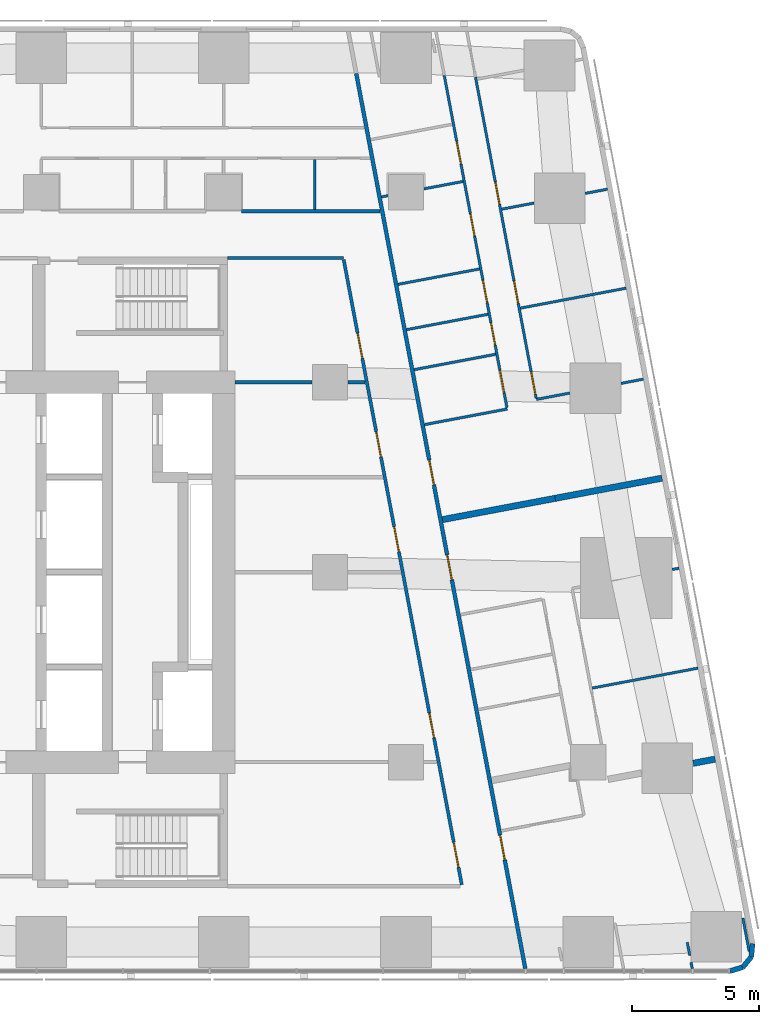
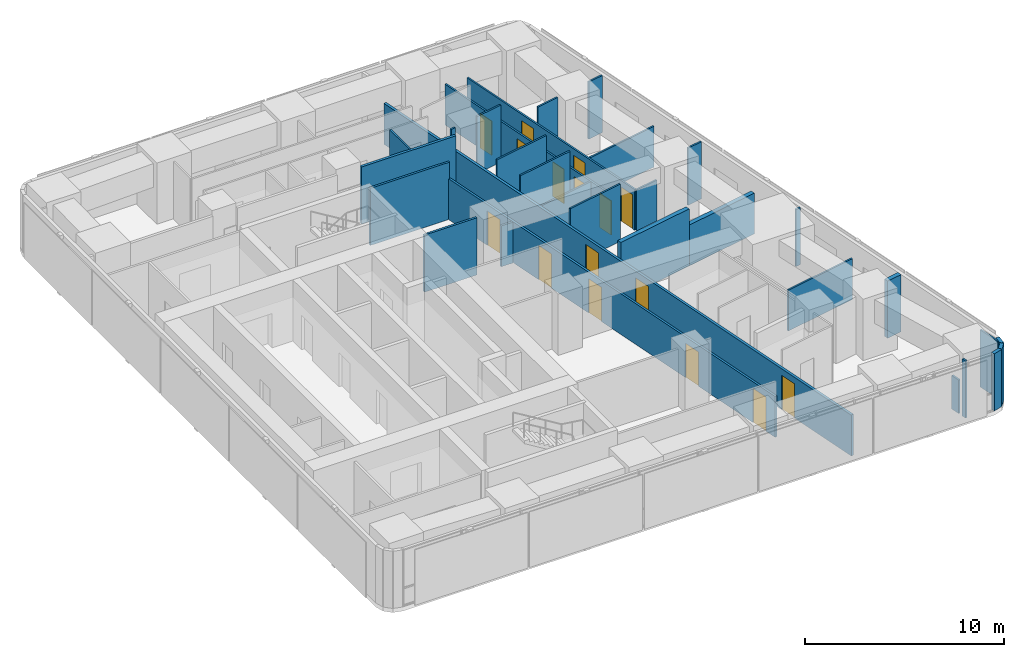
# One storey, part 7 of 11: 31 walls, 16 doors, 16 openings.
"""IFC4 building model written with IfcOpenShell, lengths in metres."""

from ifc_helpers import new_model, si_unit, direction, frame, frame_2d, origin, place, context, subcontext, project, spatial, rectangle, extrude, material, layer, layer_set, type_object, element, fill, save


model = new_model("IFC4")

# Units and contexts
model_context = context("Model", 3, precision=1e-05, world=origin(), true_north=direction((0.0, 1.0)))
body_context = subcontext(model_context, "Body", "Model", "MODEL_VIEW")
ifc_project = project(units=[si_unit("LENGTHUNIT", "METRE"), si_unit("AREAUNIT", "SQUARE_METRE"), si_unit("VOLUMEUNIT", "CUBIC_METRE"), si_unit("PLANEANGLEUNIT", "RADIAN"), si_unit("MASSUNIT", "GRAM", prefix="KILO")], contexts=[model_context])

# Site, building, storey
site_placement = place(None, origin())
site = spatial("IfcSite", under=ifc_project, at=site_placement, CompositionType="ELEMENT")
building_placement = place(site_placement, origin())
building = spatial("IfcBuilding", under=site, at=building_placement, Name="Sheger Commons Tower", CompositionType="ELEMENT")
storey_placement = place(building_placement, frame((0.0, 0.0, 270.35009765625)))
storey = spatial("IfcBuildingStorey", under=building, at=storey_placement, Name="L69", CompositionType="ELEMENT", Elevation=270.35009765625)

# Wall
ifc_material_1 = material(Name="Hollow concrete block masonry, skimmed both sides", Category="masonry")
ifc_layer_1 = layer(ifc_material_1, 0.14990234375)
ifc_layer_set_1 = layer_set([ifc_layer_1], Name="CORRIDOR WALL 150")
wall_type_1 = type_object("IfcWallType", Name="CORRIDOR WALL 150", PredefinedType="SOLIDWALL", material=ifc_layer_set_1)
wall_1_placement = place(storey_placement, frame((29.5009765625, 36.75, 0.0), z_axis=(0.0, 0.0, 1.0), x_axis=(1.0, 0.0, 0.0)))
element("IfcWall", 1, at=wall_1_placement, inside=storey, type_object=wall_type_1, Name="Corridor wall L69", PredefinedType="SOLIDWALL", context=body_context, shape_type="SweptSolid", body=[
    extrude(rectangle(XDim=5.470947265625, YDim=0.14990234375, at=frame_2d((2.7353515625, 0.0))), origin(), (0.0, 0.0, 1.0), 3.5),
])

# Wall, openings, doors
wall_2_placement = place(storey_placement, frame((34.035888671875, 42.18603515625, 0.0), z_axis=(0.0, 0.0, 1.0), x_axis=(0.185593518645, -0.9826266055, 0.0)))
wall_2 = element("IfcWall", 2, at=wall_2_placement, inside=storey, type_object=wall_type_1, Name="Corridor wall L69", PredefinedType="SOLIDWALL", context=body_context, shape_type="SweptSolid", body=[
    extrude(rectangle(XDim=35.960693359375, YDim=0.14990234375, at=frame_2d((17.98046875, 0.0))), origin(), (0.0, 0.0, 1.0), 2.5),
])
opening_1_placement = place(wall_2_placement, frame((15.529052734375, 0.0, 0.0)))
opening_1 = element("IfcOpeningElement", 3, at=opening_1_placement, cuts=wall_2, Name="Opening D1", PredefinedType="OPENING", context=body_context, shape_type="SweptSolid", body=[
    extrude(rectangle(XDim=1.0, YDim=2.10009765625, at=frame_2d((0.5, 1.050048828125))), frame((0.0, 0.0849609375, 0.0), z_axis=(0.0, -1.0, 0.0), x_axis=(1.0, 0.0, 0.0)), (0.0, 0.0, 1.0), 0.169921875),
])
opening_2_placement = place(wall_2_placement, frame((19.344970703125, 0.0, 0.0)))
opening_2 = element("IfcOpeningElement", 4, at=opening_2_placement, cuts=wall_2, Name="Opening D1", PredefinedType="OPENING", context=body_context, shape_type="SweptSolid", body=[
    extrude(rectangle(XDim=1.0, YDim=2.10009765625, at=frame_2d((0.5, 1.050048828125))), frame((0.0, 0.0849609375, 0.0), z_axis=(0.0, -1.0, 0.0), x_axis=(1.0, 0.0, 0.0)), (0.0, 0.0, 1.0), 0.169921875),
])
opening_3_placement = place(wall_2_placement, frame((30.593994140625, 0.0, 0.0)))
opening_3 = element("IfcOpeningElement", 5, at=opening_3_placement, cuts=wall_2, Name="Opening D1", PredefinedType="OPENING", context=body_context, shape_type="SweptSolid", body=[
    extrude(rectangle(XDim=1.0, YDim=2.10009765625, at=frame_2d((0.5, 1.050048828125))), frame((0.0, 0.0849609375, 0.0), z_axis=(0.0, -1.0, 0.0), x_axis=(1.0, 0.0, 0.0)), (0.0, 0.0, 1.0), 0.169921875),
])
ifc_material_2 = material(Name="Steel door set, fire rated", Category="steel")
door_type_1 = type_object("IfcDoorType", Name="FLAT ENTRANCE DOOR 1000x2100", OperationType="NOTDEFINED", PredefinedType="DOOR", material=ifc_material_2)
door_1_placement = place(opening_1_placement, origin())
door_1 = element("IfcDoor", 6, at=door_1_placement, inside=storey, type_object=door_type_1, Name="Flat entrance door", OperationType="SINGLE_SWING_LEFT", OverallHeight=2.10009765625, OverallWidth=1.0, PredefinedType="DOOR", context=body_context, shape_type="SweptSolid", body=[
    extrude(rectangle(XDim=1.0, YDim=2.10009765625, at=frame_2d((0.5, 1.050048828125))), frame((0.0, 0.02490234375, 0.0), z_axis=(0.0, -1.0, 0.0), x_axis=(1.0, 0.0, 0.0)), (0.0, 0.0, 1.0), 0.050048828125),
])
fill(opening_1, door_1)
door_2_placement = place(opening_2_placement, origin())
door_2 = element("IfcDoor", 7, at=door_2_placement, inside=storey, type_object=door_type_1, Name="Flat entrance door", OperationType="SINGLE_SWING_RIGHT", OverallHeight=2.10009765625, OverallWidth=1.0, PredefinedType="DOOR", context=body_context, shape_type="SweptSolid", body=[
    extrude(rectangle(XDim=1.0, YDim=2.10009765625, at=frame_2d((0.5, 1.050048828125))), frame((0.0, 0.02490234375, 0.0), z_axis=(0.0, -1.0, 0.0), x_axis=(1.0, 0.0, 0.0)), (0.0, 0.0, 1.0), 0.050048828125),
])
fill(opening_2, door_2)
door_3_placement = place(opening_3_placement, origin())
door_3 = element("IfcDoor", 8, at=door_3_placement, inside=storey, type_object=door_type_1, Name="Flat entrance door", OperationType="SINGLE_SWING_LEFT", OverallHeight=2.10009765625, OverallWidth=1.0, PredefinedType="DOOR", context=body_context, shape_type="SweptSolid", body=[
    extrude(rectangle(XDim=1.0, YDim=2.10009765625, at=frame_2d((0.5, 1.050048828125))), frame((0.0, 0.02490234375, 0.0), z_axis=(0.0, -1.0, 0.0), x_axis=(1.0, 0.0, 0.0)), (0.0, 0.0, 1.0), 0.050048828125),
])
fill(opening_3, door_3)

# Walls
ifc_material_3 = material(Name="Dense concrete block masonry, plastered both sides (separating wall between flats)", Category="masonry")
ifc_layer_2 = layer(ifc_material_3, 0.25)
ifc_layer_set_2 = layer_set([ifc_layer_2], Name="DEMISING WALL 250")
wall_type_2 = type_object("IfcWallType", Name="DEMISING WALL 250", PredefinedType="SOLIDWALL", material=ifc_layer_set_2)
wall_3_placement = place(storey_placement, frame((46.110107421875, 26.212890625, 0.0), z_axis=(0.0, 0.0, 1.0), x_axis=(-0.982633535512, -0.185556823879, 0.0)))
element("IfcWall", 9, at=wall_3_placement, inside=storey, type_object=wall_type_2, Name="Demising wall L69", PredefinedType="SOLIDWALL", context=body_context, shape_type="SweptSolid", body=[
    extrude(rectangle(XDim=4.2998046875, YDim=0.25, at=frame_2d((2.14990234375, 0.0))), origin(), (0.0, 0.0, 1.0), 2.5),
])
wall_4_placement = place(storey_placement, frame((41.885009765625, 25.4150390625, 0.0), z_axis=(0.0, 0.0, 1.0), x_axis=(-0.982612837616, -0.185666398014, 0.0)))
element("IfcWall", 10, at=wall_4_placement, inside=storey, type_object=wall_type_2, Name="Demising wall L69", PredefinedType="SOLIDWALL", context=body_context, shape_type="SweptSolid", body=[
    extrude(rectangle(XDim=4.524658203125, YDim=0.25, at=frame_2d((2.26220703125, 0.0))), origin(), (0.0, 0.0, 1.0), 3.5),
])
wall_5_placement = place(storey_placement, frame((48.2060546875, 15.1201171875, 0.0), z_axis=(0.0, 0.0, 1.0), x_axis=(-0.982608419258, -0.185689780017, 0.0)))
element("IfcWall", 11, at=wall_5_placement, inside=storey, type_object=wall_type_2, Name="Demising wall L69", PredefinedType="SOLIDWALL", context=body_context, shape_type="SweptSolid", body=[
    extrude(rectangle(XDim=0.883544921875, YDim=0.25, at=frame_2d((0.44189453125, 0.0))), origin(), (0.0, 0.0, 1.0), 3.5),
])
ifc_material_4 = material(Name="Rendered concrete block masonry, dark grey", Category="masonry")
ifc_layer_3 = layer(ifc_material_4, 0.199951171875)
ifc_layer_set_3 = layer_set([ifc_layer_3], Name="FACADE WALL 200")
wall_type_3 = type_object("IfcWallType", Name="FACADE WALL 200", PredefinedType="SOLIDWALL", material=ifc_layer_set_3)
wall_6_placement = place(storey_placement, frame((48.787109375, 6.75, 0.0), z_axis=(0.0, 0.0, 1.0), x_axis=(0.957282247819, 0.289155145225, 0.0)))
element("IfcWall", 12, at=wall_6_placement, inside=storey, type_object=wall_type_3, Name="Facade wall L69", PredefinedType="SOLIDWALL", context=body_context, shape_type="SweptSolid", body=[
    extrude(rectangle(XDim=0.53271484375, YDim=0.199951171875, at=frame_2d((0.266357421875, 0.0))), origin(), (0.0, 0.0, 1.0), 3.5),
])
wall_7_placement = place(storey_placement, frame((49.297119140625, 6.904052734375, 0.0), z_axis=(0.0, 0.0, 1.0), x_axis=(0.639255849474, 0.768994121508, 0.0)))
element("IfcWall", 13, at=wall_7_placement, inside=storey, type_object=wall_type_3, Name="Facade wall L69", PredefinedType="SOLIDWALL", context=body_context, shape_type="SweptSolid", body=[
    extrude(rectangle(XDim=0.517578125, YDim=0.199951171875, at=frame_2d((0.2587890625, 0.0))), origin(), (0.0, 0.0, 1.0), 3.5),
])
wall_8_placement = place(storey_placement, frame((49.6279296875, 7.302001953125, 0.0), z_axis=(0.0, 0.0, 1.0), x_axis=(0.105352390132, 0.994434952068, 0.0)))
element("IfcWall", 14, at=wall_8_placement, inside=storey, type_object=wall_type_3, Name="Facade wall L69", PredefinedType="SOLIDWALL", context=body_context, shape_type="SweptSolid", body=[
    extrude(rectangle(XDim=0.532958984375, YDim=0.199951171875, at=frame_2d((0.2666015625, 0.0))), origin(), (0.0, 0.0, 1.0), 3.5),
])
ifc_material_5 = material(Name="Gypsum board on steel studs", Category="steel")
ifc_layer_4 = layer(ifc_material_5, 0.10009765625)
ifc_layer_set_4 = layer_set([ifc_layer_4], Name="PARTITION 100")
wall_type_4 = type_object("IfcWallType", Name="PARTITION 100", PredefinedType="PARTITIONING", material=ifc_layer_set_4)
wall_9_placement = place(storey_placement, frame((49.300048828125, 8.85107421875, 0.0), z_axis=(0.0, 0.0, 1.0), x_axis=(0.18581620423, -0.982584519645, 0.0)))
element("IfcWall", 15, at=wall_9_placement, inside=storey, type_object=wall_type_4, Name="Partition L69", PredefinedType="PARTITIONING", context=body_context, shape_type="SweptSolid", body=[
    extrude(rectangle(XDim=1.3505859375, YDim=0.10009765625, at=frame_2d((0.67529296875, 0.0))), origin(), (0.0, 0.0, 1.0), 3.5),
])
wall_10_placement = place(storey_placement, frame((47.301025390625, 6.85009765625, 0.0), z_axis=(0.0, 0.0, 1.0), x_axis=(-0.187513903188, 0.982261948826, 0.0)))
element("IfcWall", 16, at=wall_10_placement, inside=storey, type_object=wall_type_4, Name="Partition L69", PredefinedType="PARTITIONING", context=body_context, shape_type="SweptSolid", body=[
    extrude(rectangle(XDim=0.251220703125, YDim=0.10009765625, at=frame_2d((0.12548828125, 0.0))), origin(), (0.0, 0.0, 1.0), 3.5),
])
wall_11_placement = place(storey_placement, frame((47.202880859375, 7.368896484375, 0.0), z_axis=(0.0, 0.0, 1.0), x_axis=(-0.186456243114, 0.982463266185, 0.0)))
element("IfcWall", 17, at=wall_11_placement, inside=storey, type_object=wall_type_4, Name="Partition L69", PredefinedType="PARTITIONING", context=body_context, shape_type="SweptSolid", body=[
    extrude(rectangle(XDim=0.5302734375, YDim=0.10009765625, at=frame_2d((0.26513671875, 0.0))), origin(), (0.0, 0.0, 1.0), 2.0498046875),
])

# Wall, openings, doors
wall_12_placement = place(storey_placement, frame((38.743896484375, 42.044921875, 0.0), z_axis=(0.0, 0.0, 1.0), x_axis=(0.185614085367, -0.982622720739, 0.0)))
wall_12 = element("IfcWall", 18, at=wall_12_placement, inside=storey, type_object=wall_type_4, Name="Partition L69", PredefinedType="PARTITIONING", context=body_context, shape_type="SweptSolid", body=[
    extrude(rectangle(XDim=12.89794921875, YDim=0.10009765625, at=frame_2d((6.448974609375, 0.0))), origin(), (0.0, 0.0, 1.0), 2.5),
])
opening_4_placement = place(wall_12_placement, frame((11.847900390625, 0.0, 0.0)))
opening_4 = element("IfcOpeningElement", 19, at=opening_4_placement, cuts=wall_12, Name="Opening D2", PredefinedType="OPENING", context=body_context, shape_type="SweptSolid", body=[
    extrude(rectangle(XDim=0.89990234375, YDim=2.10009765625, at=frame_2d((0.449951171875, 1.050048828125))), frame((0.0, 0.06005859375, 0.0), z_axis=(0.0, -1.0, 0.0), x_axis=(1.0, 0.0, 0.0)), (0.0, 0.0, 1.0), 0.1201171875),
])
opening_5_placement = place(wall_12_placement, frame((8.19091796875, 0.0, 0.0)))
opening_5 = element("IfcOpeningElement", 20, at=opening_5_placement, cuts=wall_12, Name="Opening D2", PredefinedType="OPENING", context=body_context, shape_type="SweptSolid", body=[
    extrude(rectangle(XDim=0.89990234375, YDim=2.10009765625, at=frame_2d((0.449951171875, 1.050048828125))), frame((0.0, 0.06005859375, 0.0), z_axis=(0.0, -1.0, 0.0), x_axis=(1.0, 0.0, 0.0)), (0.0, 0.0, 1.0), 0.1201171875),
])
opening_6_placement = place(wall_12_placement, frame((4.215087890625, 0.0, 0.0)))
opening_6 = element("IfcOpeningElement", 21, at=opening_6_placement, cuts=wall_12, Name="Opening D2", PredefinedType="OPENING", context=body_context, shape_type="SweptSolid", body=[
    extrude(rectangle(XDim=0.89990234375, YDim=2.10009765625, at=frame_2d((0.449951171875, 1.050048828125))), frame((0.0, 0.06005859375, 0.0), z_axis=(0.0, -1.0, 0.0), x_axis=(1.0, 0.0, 0.0)), (0.0, 0.0, 1.0), 0.1201171875),
])
ifc_material_6 = material(Name="Timber door set", Category="wood")
door_type_2 = type_object("IfcDoorType", Name="INTERNAL DOOR 900x2100", OperationType="NOTDEFINED", PredefinedType="DOOR", material=ifc_material_6)
door_4_placement = place(opening_4_placement, origin())
door_4 = element("IfcDoor", 22, at=door_4_placement, inside=storey, type_object=door_type_2, Name="Main bedroom door", OperationType="SINGLE_SWING_RIGHT", OverallHeight=2.10009765625, OverallWidth=0.89990234375, PredefinedType="DOOR", context=body_context, shape_type="SweptSolid", body=[
    extrude(rectangle(XDim=0.89990234375, YDim=2.10009765625, at=frame_2d((0.449951171875, 1.050048828125))), frame((0.0, 0.02490234375, 0.0), z_axis=(0.0, -1.0, 0.0), x_axis=(1.0, 0.0, 0.0)), (0.0, 0.0, 1.0), 0.050048828125),
])
fill(opening_4, door_4)
door_5_placement = place(opening_5_placement, origin())
door_5 = element("IfcDoor", 23, at=door_5_placement, inside=storey, type_object=door_type_2, Name="Bedroom 2 door", OperationType="SINGLE_SWING_RIGHT", OverallHeight=2.10009765625, OverallWidth=0.89990234375, PredefinedType="DOOR", context=body_context, shape_type="SweptSolid", body=[
    extrude(rectangle(XDim=0.89990234375, YDim=2.10009765625, at=frame_2d((0.449951171875, 1.050048828125))), frame((0.0, 0.02490234375, 0.0), z_axis=(0.0, -1.0, 0.0), x_axis=(1.0, 0.0, 0.0)), (0.0, 0.0, 1.0), 0.050048828125),
])
fill(opening_5, door_5)
door_6_placement = place(opening_6_placement, origin())
door_6 = element("IfcDoor", 24, at=door_6_placement, inside=storey, type_object=door_type_2, Name="Bedroom 3 door", OperationType="SINGLE_SWING_RIGHT", OverallHeight=2.10009765625, OverallWidth=0.89990234375, PredefinedType="DOOR", context=body_context, shape_type="SweptSolid", body=[
    extrude(rectangle(XDim=0.89990234375, YDim=2.10009765625, at=frame_2d((0.449951171875, 1.050048828125))), frame((0.0, 0.02490234375, 0.0), z_axis=(0.0, -1.0, 0.0), x_axis=(1.0, 0.0, 0.0)), (0.0, 0.0, 1.0), 0.050048828125),
])
fill(opening_6, door_6)

wall_13_placement = place(storey_placement, frame((37.510986328125, 42.10888671875, 0.0), z_axis=(0.0, 0.0, 1.0), x_axis=(0.185550464988, -0.982634736279, 0.0)))
wall_13 = element("IfcWall", 25, at=wall_13_placement, inside=storey, type_object=wall_type_4, Name="Partition L69", PredefinedType="PARTITIONING", context=body_context, shape_type="SweptSolid", body=[
    extrude(rectangle(XDim=13.349853515625, YDim=0.10009765625, at=frame_2d((6.6748046875, 0.0))), origin(), (0.0, 0.0, 1.0), 2.5),
])
opening_7_placement = place(wall_13_placement, frame((11.844970703125, 0.0, 0.0)))
opening_7 = element("IfcOpeningElement", 26, at=opening_7_placement, cuts=wall_13, Name="Opening D2", PredefinedType="OPENING", context=body_context, shape_type="SweptSolid", body=[
    extrude(rectangle(XDim=0.89990234375, YDim=2.10009765625, at=frame_2d((0.449951171875, 1.050048828125))), frame((0.0, 0.06005859375, 0.0), z_axis=(0.0, -1.0, 0.0), x_axis=(1.0, 0.0, 0.0)), (0.0, 0.0, 1.0), 0.1201171875),
])
opening_8_placement = place(wall_13_placement, frame((8.22412109375, 0.0, 0.0)))
opening_8 = element("IfcOpeningElement", 27, at=opening_8_placement, cuts=wall_13, Name="Opening D2", PredefinedType="OPENING", context=body_context, shape_type="SweptSolid", body=[
    extrude(rectangle(XDim=0.89990234375, YDim=2.10009765625, at=frame_2d((0.449951171875, 1.050048828125))), frame((0.0, 0.06005859375, 0.0), z_axis=(0.0, -1.0, 0.0), x_axis=(1.0, 0.0, 0.0)), (0.0, 0.0, 1.0), 0.1201171875),
])
opening_9_placement = place(wall_13_placement, frame((2.64990234375, 0.0, 0.0)))
opening_9 = element("IfcOpeningElement", 28, at=opening_9_placement, cuts=wall_13, Name="Opening D2", PredefinedType="OPENING", context=body_context, shape_type="SweptSolid", body=[
    extrude(rectangle(XDim=0.89990234375, YDim=2.10009765625, at=frame_2d((0.449951171875, 1.050048828125))), frame((0.0, 0.06005859375, 0.0), z_axis=(0.0, -1.0, 0.0), x_axis=(1.0, 0.0, 0.0)), (0.0, 0.0, 1.0), 0.1201171875),
])
opening_10_placement = place(wall_13_placement, frame((9.93603515625, 0.0, 0.0)))
opening_10 = element("IfcOpeningElement", 29, at=opening_10_placement, cuts=wall_13, Name="Opening D2", PredefinedType="OPENING", context=body_context, shape_type="SweptSolid", body=[
    extrude(rectangle(XDim=0.89990234375, YDim=2.10009765625, at=frame_2d((0.449951171875, 1.050048828125))), frame((0.0, 0.06005859375, 0.0), z_axis=(0.0, -1.0, 0.0), x_axis=(1.0, 0.0, 0.0)), (0.0, 0.0, 1.0), 0.1201171875),
])
opening_11_placement = place(wall_13_placement, frame((5.554931640625, 0.0, 0.0)))
opening_11 = element("IfcOpeningElement", 30, at=opening_11_placement, cuts=wall_13, Name="Opening D2", PredefinedType="OPENING", context=body_context, shape_type="SweptSolid", body=[
    extrude(rectangle(XDim=0.89990234375, YDim=2.10009765625, at=frame_2d((0.449951171875, 1.050048828125))), frame((0.0, 0.06005859375, 0.0), z_axis=(0.0, -1.0, 0.0), x_axis=(1.0, 0.0, 0.0)), (0.0, 0.0, 1.0), 0.1201171875),
])
door_7_placement = place(opening_7_placement, origin())
door_7 = element("IfcDoor", 31, at=door_7_placement, inside=storey, type_object=door_type_2, Name="Bathroom door", OperationType="SINGLE_SWING_LEFT", OverallHeight=2.10009765625, OverallWidth=0.89990234375, PredefinedType="DOOR", context=body_context, shape_type="SweptSolid", body=[
    extrude(rectangle(XDim=0.89990234375, YDim=2.10009765625, at=frame_2d((0.449951171875, 1.050048828125))), frame((0.0, 0.02490234375, 0.0), z_axis=(0.0, -1.0, 0.0), x_axis=(1.0, 0.0, 0.0)), (0.0, 0.0, 1.0), 0.050048828125),
])
fill(opening_7, door_7)
door_8_placement = place(opening_8_placement, origin())
door_8 = element("IfcDoor", 32, at=door_8_placement, inside=storey, type_object=door_type_2, Name="Laundry room door", OperationType="SINGLE_SWING_LEFT", OverallHeight=2.10009765625, OverallWidth=0.89990234375, PredefinedType="DOOR", context=body_context, shape_type="SweptSolid", body=[
    extrude(rectangle(XDim=0.89990234375, YDim=2.10009765625, at=frame_2d((0.449951171875, 1.050048828125))), frame((0.0, 0.02490234375, 0.0), z_axis=(0.0, -1.0, 0.0), x_axis=(1.0, 0.0, 0.0)), (0.0, 0.0, 1.0), 0.050048828125),
])
fill(opening_8, door_8)
door_9_placement = place(opening_9_placement, origin())
door_9 = element("IfcDoor", 33, at=door_9_placement, inside=storey, type_object=door_type_2, Name="Laundry room door", OperationType="SINGLE_SWING_LEFT", OverallHeight=2.10009765625, OverallWidth=0.89990234375, PredefinedType="DOOR", context=body_context, shape_type="SweptSolid", body=[
    extrude(rectangle(XDim=0.89990234375, YDim=2.10009765625, at=frame_2d((0.449951171875, 1.050048828125))), frame((0.0, 0.02490234375, 0.0), z_axis=(0.0, -1.0, 0.0), x_axis=(1.0, 0.0, 0.0)), (0.0, 0.0, 1.0), 0.050048828125),
])
fill(opening_9, door_9)
door_10_placement = place(opening_10_placement, origin())
door_10 = element("IfcDoor", 34, at=door_10_placement, inside=storey, type_object=door_type_2, Name="Store door", OperationType="SINGLE_SWING_RIGHT", OverallHeight=2.10009765625, OverallWidth=0.89990234375, PredefinedType="DOOR", context=body_context, shape_type="SweptSolid", body=[
    extrude(rectangle(XDim=0.89990234375, YDim=2.10009765625, at=frame_2d((0.449951171875, 1.050048828125))), frame((0.0, 0.02490234375, 0.0), z_axis=(0.0, -1.0, 0.0), x_axis=(1.0, 0.0, 0.0)), (0.0, 0.0, 1.0), 0.050048828125),
])
fill(opening_10, door_10)
door_11_placement = place(opening_11_placement, origin())
door_11 = element("IfcDoor", 35, at=door_11_placement, inside=storey, type_object=door_type_2, Name="Store door", OperationType="SINGLE_SWING_RIGHT", OverallHeight=2.10009765625, OverallWidth=0.89990234375, PredefinedType="DOOR", context=body_context, shape_type="SweptSolid", body=[
    extrude(rectangle(XDim=0.89990234375, YDim=2.10009765625, at=frame_2d((0.449951171875, 1.050048828125))), frame((0.0, 0.02490234375, 0.0), z_axis=(0.0, -1.0, 0.0), x_axis=(1.0, 0.0, 0.0)), (0.0, 0.0, 1.0), 0.050048828125),
])
fill(opening_11, door_11)

# Walls
wall_14_placement = place(storey_placement, frame((43.955078125, 37.6201171875, 0.0), z_axis=(0.0, 0.0, 1.0), x_axis=(-0.982708424405, -0.18515980288, 0.0)))
element("IfcWall", 36, at=wall_14_placement, inside=storey, type_object=wall_type_4, Name="Partition L69", PredefinedType="PARTITIONING", context=body_context, shape_type="SweptSolid", body=[
    extrude(rectangle(XDim=0.896728515625, YDim=0.10009765625, at=frame_2d((0.4482421875, 0.0))), origin(), (0.0, 0.0, 1.0), 3.5),
])
wall_15_placement = place(storey_placement, frame((41.053955078125, 37.072021484375, 0.0), z_axis=(0.0, 0.0, 1.0), x_axis=(-0.982576752117, -0.185857273733, 0.0)))
element("IfcWall", 37, at=wall_15_placement, inside=storey, type_object=wall_type_4, Name="Partition L69", PredefinedType="PARTITIONING", context=body_context, shape_type="SweptSolid", body=[
    extrude(rectangle(XDim=1.296630859375, YDim=0.10009765625, at=frame_2d((0.6484375, 0.0))), origin(), (0.0, 0.0, 1.0), 3.5),
])
wall_16_placement = place(storey_placement, frame((44.693115234375, 33.712890625, 0.0), z_axis=(0.0, 0.0, 1.0), x_axis=(-0.982615600536, -0.185651775062, 0.0)))
element("IfcWall", 38, at=wall_16_placement, inside=storey, type_object=wall_type_4, Name="Partition L69", PredefinedType="PARTITIONING", context=body_context, shape_type="SweptSolid", body=[
    extrude(rectangle(XDim=4.2490234375, YDim=0.10009765625, at=frame_2d((2.12451171875, 0.0))), origin(), (0.0, 0.0, 1.0), 2.5),
])
wall_17_placement = place(storey_placement, frame((45.3720703125, 30.12109375, 0.0), z_axis=(0.0, 0.0, 1.0), x_axis=(-0.982547416156, -0.186012297994, 0.0)))
element("IfcWall", 39, at=wall_17_placement, inside=storey, type_object=wall_type_4, Name="Partition L69", PredefinedType="PARTITIONING", context=body_context, shape_type="SweptSolid", body=[
    extrude(rectangle(XDim=0.897705078125, YDim=0.10009765625, at=frame_2d((0.44873046875, 0.0))), origin(), (0.0, 0.0, 1.0), 3.5),
])
wall_18_placement = place(storey_placement, frame((42.469970703125, 29.572021484375, 0.0), z_axis=(0.0, 0.0, 1.0), x_axis=(-0.982610503289, -0.185678751683, 0.0)))
element("IfcWall", 40, at=wall_18_placement, inside=storey, type_object=wall_type_4, Name="Partition L69", PredefinedType="PARTITIONING", context=body_context, shape_type="SweptSolid", body=[
    extrude(rectangle(XDim=1.346435546875, YDim=0.10009765625, at=frame_2d((0.67333984375, 0.0))), origin(), (0.0, 0.0, 1.0), 2.5),
])
wall_19_placement = place(storey_placement, frame((38.25, 37.925048828125, 0.0), z_axis=(0.0, 0.0, 1.0), x_axis=(-0.982610209589, -0.185680305934, 0.0)))
element("IfcWall", 41, at=wall_19_placement, inside=storey, type_object=wall_type_4, Name="Partition L69", PredefinedType="PARTITIONING", context=body_context, shape_type="SweptSolid", body=[
    extrude(rectangle(XDim=1.5673828125, YDim=0.10009765625, at=frame_2d((0.78369140625, 0.0))), origin(), (0.0, 0.0, 1.0), 3.5),
])
wall_20_placement = place(storey_placement, frame((35.2900390625, 37.365966796875, 0.0), z_axis=(0.0, 0.0, 1.0), x_axis=(-0.982395465615, -0.18681313963, 0.0)))
element("IfcWall", 42, at=wall_20_placement, inside=storey, type_object=wall_type_4, Name="Partition L69", PredefinedType="PARTITIONING", context=body_context, shape_type="SweptSolid", body=[
    extrude(rectangle(XDim=0.2626953125, YDim=0.10009765625, at=frame_2d((0.13134765625, 0.0))), origin(), (0.0, 0.0, 1.0), 3.5),
])
wall_21_placement = place(storey_placement, frame((39.239990234375, 32.68310546875, 0.0), z_axis=(0.0, 0.0, 1.0), x_axis=(-0.982607026909, -0.185697147715, 0.0)))
element("IfcWall", 43, at=wall_21_placement, inside=storey, type_object=wall_type_4, Name="Partition L69", PredefinedType="PARTITIONING", context=body_context, shape_type="SweptSolid", body=[
    extrude(rectangle(XDim=3.27490234375, YDim=0.10009765625, at=frame_2d((1.637451171875, 0.0))), origin(), (0.0, 0.0, 1.0), 3.5),
])
wall_22_placement = place(storey_placement, frame((39.9970703125, 28.94189453125, 0.0), z_axis=(0.0, 0.0, 1.0), x_axis=(-0.982569883123, -0.185893584556, 0.0)))
element("IfcWall", 44, at=wall_22_placement, inside=storey, type_object=wall_type_4, Name="Partition L69", PredefinedType="PARTITIONING", context=body_context, shape_type="SweptSolid", body=[
    extrude(rectangle(XDim=3.323974609375, YDim=0.10009765625, at=frame_2d((1.662109375, 0.0))), origin(), (0.0, 0.0, 1.0), 3.5),
])
wall_23_placement = place(storey_placement, frame((39.5380859375, 31.10400390625, 0.0), z_axis=(0.0, 0.0, 1.0), x_axis=(-0.982620626894, -0.185625169636, 0.0)))
element("IfcWall", 45, at=wall_23_placement, inside=storey, type_object=wall_type_4, Name="Partition L69", PredefinedType="PARTITIONING", context=body_context, shape_type="SweptSolid", body=[
    extrude(rectangle(XDim=3.27490234375, YDim=0.10009765625, at=frame_2d((1.637451171875, 0.0))), origin(), (0.0, 0.0, 1.0), 2.5),
])
wall_24_placement = place(storey_placement, frame((38.902099609375, 34.470947265625, 0.0), z_axis=(0.0, 0.0, 1.0), x_axis=(-0.982674977865, -0.185337227447, 0.0)))
element("IfcWall", 46, at=wall_24_placement, inside=storey, type_object=wall_type_4, Name="Partition L69", PredefinedType="PARTITIONING", context=body_context, shape_type="SweptSolid", body=[
    extrude(rectangle(XDim=3.274658203125, YDim=0.10009765625, at=frame_2d((1.63720703125, 0.0))), origin(), (0.0, 0.0, 1.0), 3.5),
])
wall_25_placement = place(storey_placement, frame((46.781982421875, 22.656982421875, 0.0), z_axis=(0.0, 0.0, 1.0), x_axis=(-0.982574553168, -0.185868898601, 0.0)))
element("IfcWall", 47, at=wall_25_placement, inside=storey, type_object=wall_type_4, Name="Partition L69", PredefinedType="PARTITIONING", context=body_context, shape_type="SweptSolid", body=[
    extrude(rectangle(XDim=0.27978515625, YDim=0.10009765625, at=frame_2d((0.139892578125, 0.0))), origin(), (0.0, 0.0, 1.0), 3.5),
])
wall_26_placement = place(storey_placement, frame((47.527099609375, 18.7119140625, 0.0), z_axis=(0.0, 0.0, 1.0), x_axis=(-0.982665405803, -0.185387972203, 0.0)))
element("IfcWall", 48, at=wall_26_placement, inside=storey, type_object=wall_type_4, Name="Partition L69", PredefinedType="PARTITIONING", context=body_context, shape_type="SweptSolid", body=[
    extrude(rectangle(XDim=4.249755859375, YDim=0.10009765625, at=frame_2d((2.125, 0.0))), origin(), (0.0, 0.0, 1.0), 2.5),
])
wall_27_placement = place(storey_placement, frame((32.39990234375, 36.824951171875, 0.0), z_axis=(0.0, 0.0, 1.0), x_axis=(0.0, 1.0, 0.0)))
element("IfcWall", 49, at=wall_27_placement, inside=storey, type_object=wall_type_4, Name="Partition L69", PredefinedType="PARTITIONING", context=body_context, shape_type="SweptSolid", body=[
    extrude(rectangle(XDim=1.97509765625, YDim=0.10009765625, at=frame_2d((0.987548828125, 0.0))), origin(), (0.0, 0.0, 1.0), 3.5),
])
ifc_material_7 = material(Name="Gypsum board on steel studs, two layers each side, fire rated", Category="steel")
ifc_layer_5 = layer(ifc_material_7, 0.125)
ifc_layer_set_5 = layer_set([ifc_layer_5], Name="SERVICE WALL 125")
wall_type_5 = type_object("IfcWallType", Name="SERVICE WALL 125", PredefinedType="PARTITIONING", material=ifc_layer_set_5)
wall_28_placement = place(storey_placement, frame((28.949951171875, 34.89990234375, 0.0), z_axis=(0.0, 0.0, 1.0), x_axis=(1.0, 0.0, 0.0)))
element("IfcWall", 50, at=wall_28_placement, inside=storey, type_object=wall_type_5, Name="Service room wall L69", PredefinedType="PARTITIONING", context=body_context, shape_type="SweptSolid", body=[
    extrude(rectangle(XDim=4.588134765625, YDim=0.125, at=frame_2d((2.2939453125, 0.0))), origin(), (0.0, 0.0, 1.0), 3.5),
])

# Wall, openings, doors
wall_29_placement = place(storey_placement, frame((38.201904296875, 10.1630859375, 0.0), z_axis=(0.0, 0.0, 1.0), x_axis=(-0.185610321132, 0.982623431783, 0.0)))
wall_29 = element("IfcWall", 51, at=wall_29_placement, inside=storey, type_object=wall_type_5, Name="Service room wall L69", PredefinedType="PARTITIONING", context=body_context, shape_type="SweptSolid", body=[
    extrude(rectangle(XDim=25.111083984375, YDim=0.125, at=frame_2d((12.5556640625, 0.0))), origin(), (0.0, 0.0, 1.0), 2.5),
])
opening_12_placement = place(wall_29_placement, frame((0.7080078125, 0.0, 0.0)))
opening_12 = element("IfcOpeningElement", 52, at=opening_12_placement, cuts=wall_29, Name="Opening D4", PredefinedType="OPENING", context=body_context, shape_type="SweptSolid", body=[
    extrude(rectangle(XDim=1.0, YDim=2.10009765625, at=frame_2d((0.5, 1.050048828125))), frame((0.0, 0.072509765625, 0.0), z_axis=(0.0, -1.0, 0.0), x_axis=(1.0, 0.0, 0.0)), (0.0, 0.0, 1.0), 0.14501953125),
])
opening_13_placement = place(wall_29_placement, frame((5.89990234375, 0.0, 0.0)))
opening_13 = element("IfcOpeningElement", 53, at=opening_13_placement, cuts=wall_29, Name="Opening D4", PredefinedType="OPENING", context=body_context, shape_type="SweptSolid", body=[
    extrude(rectangle(XDim=1.0, YDim=2.10009765625, at=frame_2d((0.5, 1.050048828125))), frame((0.0, 0.072509765625, 0.0), z_axis=(0.0, -1.0, 0.0), x_axis=(1.0, 0.0, 0.0)), (0.0, 0.0, 1.0), 0.14501953125),
])
opening_14_placement = place(wall_29_placement, frame((13.3779296875, 0.0, 0.0)))
opening_14 = element("IfcOpeningElement", 54, at=opening_14_placement, cuts=wall_29, Name="Opening D4", PredefinedType="OPENING", context=body_context, shape_type="SweptSolid", body=[
    extrude(rectangle(XDim=1.0, YDim=2.10009765625, at=frame_2d((0.5, 1.050048828125))), frame((0.0, 0.072509765625, 0.0), z_axis=(0.0, -1.0, 0.0), x_axis=(1.0, 0.0, 0.0)), (0.0, 0.0, 1.0), 0.14501953125),
])
opening_15_placement = place(wall_29_placement, frame((17.194091796875, 0.0, 0.0)))
opening_15 = element("IfcOpeningElement", 55, at=opening_15_placement, cuts=wall_29, Name="Opening D4", PredefinedType="OPENING", context=body_context, shape_type="SweptSolid", body=[
    extrude(rectangle(XDim=1.0, YDim=2.10009765625, at=frame_2d((0.5, 1.050048828125))), frame((0.0, 0.072509765625, 0.0), z_axis=(0.0, -1.0, 0.0), x_axis=(1.0, 0.0, 0.0)), (0.0, 0.0, 1.0), 0.14501953125),
])
opening_16_placement = place(wall_29_placement, frame((21.14990234375, 0.0, 0.0)))
opening_16 = element("IfcOpeningElement", 56, at=opening_16_placement, cuts=wall_29, Name="Opening D4", PredefinedType="OPENING", context=body_context, shape_type="SweptSolid", body=[
    extrude(rectangle(XDim=1.0, YDim=2.10009765625, at=frame_2d((0.5, 1.050048828125))), frame((0.0, 0.072509765625, 0.0), z_axis=(0.0, -1.0, 0.0), x_axis=(1.0, 0.0, 0.0)), (0.0, 0.0, 1.0), 0.14501953125),
])
ifc_material_8 = material(Name="Steel door set, fire rated", Category="steel")
door_type_3 = type_object("IfcDoorType", Name="SERVICE DOOR 1000x2100", OperationType="NOTDEFINED", PredefinedType="DOOR", material=ifc_material_8)
door_12_placement = place(opening_12_placement, origin())
door_12 = element("IfcDoor", 57, at=door_12_placement, inside=storey, type_object=door_type_3, Name="Residents' meeting room door", OperationType="SINGLE_SWING_LEFT", OverallHeight=2.10009765625, OverallWidth=1.0, PredefinedType="DOOR", context=body_context, shape_type="SweptSolid", body=[
    extrude(rectangle(XDim=1.0, YDim=2.10009765625, at=frame_2d((0.5, 1.050048828125))), frame((0.0, 0.02490234375, 0.0), z_axis=(0.0, -1.0, 0.0), x_axis=(1.0, 0.0, 0.0)), (0.0, 0.0, 1.0), 0.050048828125),
])
fill(opening_12, door_12)
door_13_placement = place(opening_13_placement, origin())
door_13 = element("IfcDoor", 58, at=door_13_placement, inside=storey, type_object=door_type_3, Name="Children's play room door", OperationType="SINGLE_SWING_LEFT", OverallHeight=2.10009765625, OverallWidth=1.0, PredefinedType="DOOR", context=body_context, shape_type="SweptSolid", body=[
    extrude(rectangle(XDim=1.0, YDim=2.10009765625, at=frame_2d((0.5, 1.050048828125))), frame((0.0, 0.02490234375, 0.0), z_axis=(0.0, -1.0, 0.0), x_axis=(1.0, 0.0, 0.0)), (0.0, 0.0, 1.0), 0.050048828125),
])
fill(opening_13, door_13)
door_14_placement = place(opening_14_placement, origin())
door_14 = element("IfcDoor", 59, at=door_14_placement, inside=storey, type_object=door_type_3, Name="Caretaker's store door", OperationType="SINGLE_SWING_LEFT", OverallHeight=2.10009765625, OverallWidth=1.0, PredefinedType="DOOR", context=body_context, shape_type="SweptSolid", body=[
    extrude(rectangle(XDim=1.0, YDim=2.10009765625, at=frame_2d((0.5, 1.050048828125))), frame((0.0, 0.02490234375, 0.0), z_axis=(0.0, -1.0, 0.0), x_axis=(1.0, 0.0, 0.0)), (0.0, 0.0, 1.0), 0.050048828125),
])
fill(opening_14, door_14)
door_15_placement = place(opening_15_placement, origin())
door_15 = element("IfcDoor", 60, at=door_15_placement, inside=storey, type_object=door_type_3, Name="Residents' store door", OperationType="SINGLE_SWING_LEFT", OverallHeight=2.10009765625, OverallWidth=1.0, PredefinedType="DOOR", context=body_context, shape_type="SweptSolid", body=[
    extrude(rectangle(XDim=1.0, YDim=2.10009765625, at=frame_2d((0.5, 1.050048828125))), frame((0.0, 0.02490234375, 0.0), z_axis=(0.0, -1.0, 0.0), x_axis=(1.0, 0.0, 0.0)), (0.0, 0.0, 1.0), 0.050048828125),
])
fill(opening_15, door_15)
door_16_placement = place(opening_16_placement, origin())
door_16 = element("IfcDoor", 61, at=door_16_placement, inside=storey, type_object=door_type_3, Name="Parcel and delivery room door", OperationType="SINGLE_SWING_LEFT", OverallHeight=2.10009765625, OverallWidth=1.0, PredefinedType="DOOR", context=body_context, shape_type="SweptSolid", body=[
    extrude(rectangle(XDim=1.0, YDim=2.10009765625, at=frame_2d((0.5, 1.050048828125))), frame((0.0, 0.02490234375, 0.0), z_axis=(0.0, -1.0, 0.0), x_axis=(1.0, 0.0, 0.0)), (0.0, 0.0, 1.0), 0.050048828125),
])
fill(opening_16, door_16)

# Walls
wall_30_placement = place(storey_placement, frame((29.25, 30.0, 0.0), z_axis=(0.0, 0.0, 1.0), x_axis=(1.0, 0.0, 0.0)))
element("IfcWall", 62, at=wall_30_placement, inside=storey, type_object=wall_type_5, Name="Service room wall L69", PredefinedType="PARTITIONING", context=body_context, shape_type="SweptSolid", body=[
    extrude(rectangle(XDim=3.049072265625, YDim=0.125, at=frame_2d((1.5244140625, 0.0))), origin(), (0.0, 0.0, 1.0), 3.5),
])
wall_31_placement = place(storey_placement, frame((33.700927734375, 30.0, 0.0), z_axis=(0.0, 0.0, 1.0), x_axis=(1.0, 0.0, 0.0)))
element("IfcWall", 63, at=wall_31_placement, inside=storey, type_object=wall_type_5, Name="Service room wall L69", PredefinedType="PARTITIONING", context=body_context, shape_type="SweptSolid", body=[
    extrude(rectangle(XDim=0.677978515625, YDim=0.125, at=frame_2d((0.3388671875, 0.0))), origin(), (0.0, 0.0, 1.0), 2.5),
])

save(model, "model.ifc")
